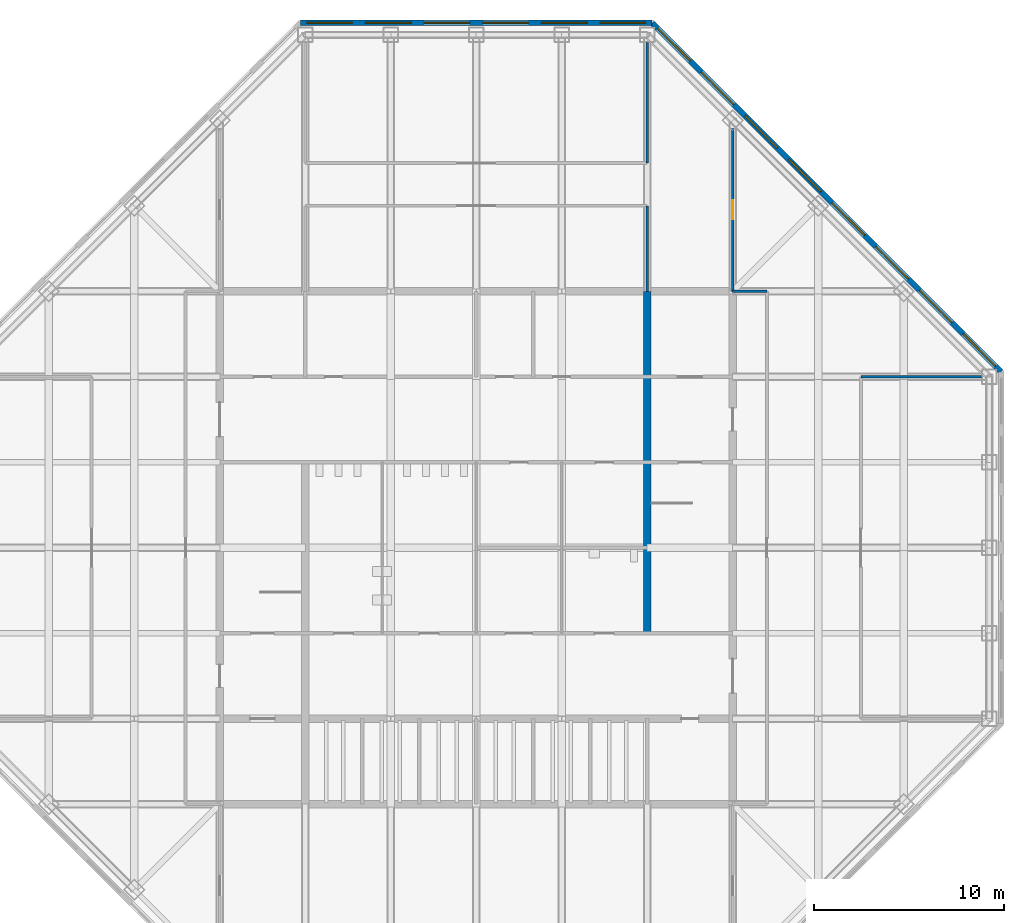
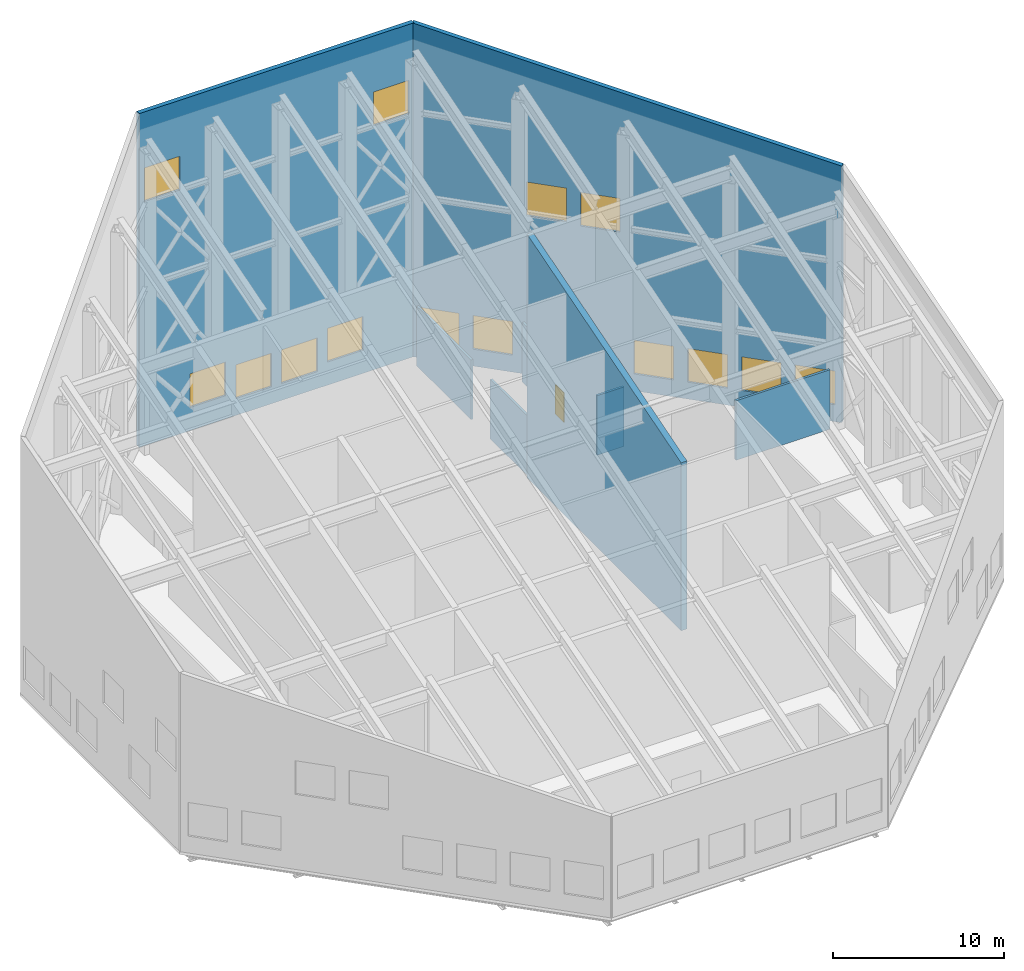
# One storey, part 8 of 10: 14 windows, 8 walls, 1 door, 15 openings.
"""IFC4 building model written with IfcOpenShell, lengths in metres."""

import ifcopenshell
import ifcopenshell.guid

model = None  # the IFC model being written
_history = None  # IfcOwnerHistory: only IFC2X3 demands one
_inside = {}  # id of a spatial element -> (the spatial element, [elements in it])
_under = {}  # id of a project, library or spatial element -> (it, [spatial elements below it])
_declared = {}  # id of a project -> (the project, [libraries it declares])
_typed = {}  # id of a type object -> (the type object, [elements of that type])
_made_of = {}  # id of a material, layer set ... -> (it, [elements and type objects made of it])


def new_model(schema):
    """Start an empty IFC model of exactly this schema.

    Asked for "IFC4X3", IfcOpenShell would pick the latest addendum, in which some entities
    have other attributes; the version numbers below select the first issue.
    IFC2X3 requires an IfcOwnerHistory on every rooted entity: one is made here for all.
    """
    global model, _history
    if schema == "IFC4X3":
        model = ifcopenshell.file(schema_version=(4, 3, 0, 0))
    else:
        model = ifcopenshell.file(schema=schema)
    _inside.clear()
    _under.clear()
    _declared.clear()
    _typed.clear()
    _made_of.clear()
    _history = None
    if model.schema == "IFC2X3":
        org = make("IfcOrganization", Name="unknown")
        user = make(
            "IfcPersonAndOrganization",
            ThePerson=make("IfcPerson", FamilyName="unknown"),
            TheOrganization=org,
        )
        app = make(
            "IfcApplication",
            ApplicationDeveloper=org,
            Version="unknown",
            ApplicationFullName="unknown",
            ApplicationIdentifier="unknown",
        )
        _history = make(
            "IfcOwnerHistory",
            OwningUser=user,
            OwningApplication=app,
            ChangeAction="ADDED",
            CreationDate=0,
        )
    return model


def make(cls, **values):
    """One entity of the class cls with the attributes given. An attribute that is None is left unset."""
    return model.create_entity(
        cls, **{name: value for name, value in values.items() if value is not None}
    )


def rooted(cls, **values):
    """An entity with a GlobalId (a new one), such as an element, a storey or a relation."""
    return make(cls, GlobalId=ifcopenshell.guid.new(), OwnerHistory=_history, **values)


def si_unit(unit_type, name, prefix=None):
    """IfcSIUnit, for example si_unit("LENGTHUNIT", "METRE", prefix="MILLI")."""
    return make("IfcSIUnit", UnitType=unit_type, Prefix=prefix, Name=name)


def assignment(units):
    """IfcUnitAssignment: the units of a project."""
    return None if units is None else make("IfcUnitAssignment", Units=units)


def point(xyz):
    """IfcCartesianPoint."""
    return None if xyz is None else make("IfcCartesianPoint", Coordinates=xyz)


def direction(xyz):
    """IfcDirection."""
    return None if xyz is None else make("IfcDirection", DirectionRatios=xyz)


def frame(location, z_axis=None, x_axis=None):
    """IfcAxis2Placement3D, a coordinate frame: its origin and axes. An axis left out is left unset."""
    return make(
        "IfcAxis2Placement3D",
        Location=point(location),
        Axis=direction(z_axis),
        RefDirection=direction(x_axis),
    )


def frame_2d(location, x_axis=None):
    """IfcAxis2Placement2D, a coordinate frame in the plane: its origin and x axis."""
    return make(
        "IfcAxis2Placement2D", Location=point(location), RefDirection=direction(x_axis)
    )


def origin():
    """The frame at (0, 0, 0) with its axes left unset."""
    return frame((0.0, 0.0, 0.0))


def place(relative_to, where):
    """IfcLocalPlacement: puts the frame where relative to a parent placement (None: the world)."""
    return make(
        "IfcLocalPlacement", PlacementRelTo=relative_to, RelativePlacement=where
    )


def context(
    kind, dimensions, precision=None, world=None, true_north=None, identifier=None
):
    """IfcGeometricRepresentationContext, for example the 3D "Model" context."""
    return make(
        "IfcGeometricRepresentationContext",
        ContextIdentifier=identifier,
        ContextType=kind,
        CoordinateSpaceDimension=dimensions,
        Precision=precision,
        WorldCoordinateSystem=world,
        TrueNorth=true_north,
    )


def subcontext(parent, identifier, kind, view, scale=None):
    """IfcGeometricRepresentationSubContext, for example "Body" below "Model"."""
    return make(
        "IfcGeometricRepresentationSubContext",
        ContextIdentifier=identifier,
        ContextType=kind,
        ParentContext=parent,
        TargetScale=scale,
        TargetView=view,
    )


def project(units=None, contexts=None):
    """IfcProject with its units and contexts."""
    return rooted(
        "IfcProject",
        Name="project",
        RepresentationContexts=contexts,
        UnitsInContext=assignment(units),
    )


def spatial(cls, under=None, at=None, **own):
    """A site, building, storey or space (cls), placed at a placement, below another one or the project."""
    s = rooted(cls, ObjectPlacement=at, **own)
    if under is not None:
        _under.setdefault(under.id(), (under, []))[1].append(s)
    return s


def polyline(points):
    """IfcPolyline through the points."""
    return make("IfcPolyline", Points=[point(p) for p in points])


def profile(cls, at=None, kind="AREA", **sizes):
    """A parametric profile (cls). Its sizes go by their IFC names, for example OverallWidth=200.0."""
    return make(cls, ProfileType=kind, Position=at, **sizes)


def rectangle(**sizes):
    """IfcRectangleProfileDef."""
    return profile("IfcRectangleProfileDef", **sizes)


def outline(outer, holes=None, kind="AREA"):
    """IfcArbitraryClosedProfileDef: a profile drawn as a closed curve; with holes, ...WithVoids."""
    if holes is None:
        return make("IfcArbitraryClosedProfileDef", ProfileType=kind, OuterCurve=outer)
    return make(
        "IfcArbitraryProfileDefWithVoids",
        ProfileType=kind,
        OuterCurve=outer,
        InnerCurves=holes,
    )


def extrude(swept, where, along, depth):
    """IfcExtrudedAreaSolid: the profile swept, set in the frame where, extruded along a direction by depth."""
    return make(
        "IfcExtrudedAreaSolid",
        SweptArea=swept,
        Position=where,
        ExtrudedDirection=direction(along),
        Depth=depth,
    )


def shape(context_of_items, identifier, shape_type, items):
    """IfcShapeRepresentation: the items that make up one representation, for example the "Body"."""
    return make(
        "IfcShapeRepresentation",
        ContextOfItems=context_of_items,
        RepresentationIdentifier=identifier,
        RepresentationType=shape_type,
        Items=items,
    )


def material(Name=None, Category=None):
    """IfcMaterial."""
    return make("IfcMaterial", Name=Name, Category=Category)


def layer(
    of_material, thickness, ventilated=None, Name=None, Category=None, Priority=None
):
    """IfcMaterialLayer: one layer of a wall or slab, of a material (None: an air gap)."""
    return make(
        "IfcMaterialLayer",
        Material=of_material,
        LayerThickness=thickness,
        IsVentilated=ventilated,
        Name=Name,
        Category=Category,
        Priority=Priority,
    )


def layer_set(layers, Name=None):
    """IfcMaterialLayerSet."""
    return make("IfcMaterialLayerSet", MaterialLayers=layers, LayerSetName=Name)


def made_of(thing, what):
    """Note that an element or type object is made of a material, layer set ...; save() writes the relation."""
    if what is not None:
        _made_of.setdefault(what.id(), (what, []))[1].append(thing)
    return thing


def type_object(cls, material=None, **own):
    """A type object (cls), such as IfcWallType, which elements share."""
    return made_of(rooted(cls, **own), material)


def element(
    cls,
    number,
    at=None,
    inside=None,
    cuts=None,
    type_object=None,
    material=None,
    context=None,
    identifier="Body",
    shape_type=None,
    held_by="IfcProductDefinitionShape",
    body=None,
    shapes=None,
    **own,
):
    """One element of the class cls, such as IfcWall. Its Tag is "e" and its number.

    at: its placement. inside: the storey or other place that contains it. cuts: it is an
    opening in that element (IfcRelVoidsElement). A single representation is given by context,
    identifier, shape_type and body (its items); several are given by shapes. held_by: the class
    of the entity that holds the representations. save() writes the other relations.
    """
    e = rooted(cls, Tag="e%d" % number, ObjectPlacement=at, **own)
    if body is not None:
        shapes = [shape(context, identifier, shape_type, body)]
    if shapes is not None:
        e.Representation = make(held_by, Representations=shapes)
    if inside is not None:
        _inside.setdefault(inside.id(), (inside, []))[1].append(e)
    if cuts is not None:
        rooted(
            "IfcRelVoidsElement", RelatingBuildingElement=cuts, RelatedOpeningElement=e
        )
    if type_object is not None:
        _typed.setdefault(type_object.id(), (type_object, []))[1].append(e)
    return made_of(e, material)


def fill(opening, filler):
    """IfcRelFillsElement: the door or window that sits in an opening."""
    return rooted(
        "IfcRelFillsElement",
        RelatingOpeningElement=opening,
        RelatedBuildingElement=filler,
    )


def aggregate(whole, parts):
    """IfcRelAggregates: a whole, such as a stair, and the parts it consists of."""
    return rooted("IfcRelAggregates", RelatingObject=whole, RelatedObjects=parts)


def save(model, path):
    """Write the relations noted so far, then the file.

    IfcRelAggregates (storeys below a building ...), IfcRelContainedInSpatialStructure (elements
    in a storey), IfcRelDefinesByType, IfcRelAssociatesMaterial and IfcRelDeclares: one each for
    every whole, place, type object, material and project.
    """
    for whole, parts in _under.values():
        aggregate(whole, parts)
    for where, things in _inside.values():
        rooted(
            "IfcRelContainedInSpatialStructure",
            RelatedElements=things,
            RelatingStructure=where,
        )
    for kind, things in _typed.values():
        rooted("IfcRelDefinesByType", RelatedObjects=things, RelatingType=kind)
    for what, things in _made_of.values():
        rooted("IfcRelAssociatesMaterial", RelatedObjects=things, RelatingMaterial=what)
    for by, libraries in _declared.values():
        rooted("IfcRelDeclares", RelatingContext=by, RelatedDefinitions=libraries)
    model.write(path)


model = new_model("IFC4")

# Units and contexts
model_context = context("Model", 3, precision=1e-05, world=origin(), true_north=direction((0.0, 1.0)))
body_context = subcontext(model_context, "Body", "Model", "MODEL_VIEW")
ifc_project = project(units=[si_unit("LENGTHUNIT", "METRE"), si_unit("AREAUNIT", "SQUARE_METRE"), si_unit("VOLUMEUNIT", "CUBIC_METRE"), si_unit("PLANEANGLEUNIT", "RADIAN"), si_unit("MASSUNIT", "GRAM", prefix="KILO")], contexts=[model_context])

# Site, building, storey
site_placement = place(None, origin())
site = spatial("IfcSite", under=ifc_project, at=site_placement, CompositionType="ELEMENT")
building_placement = place(site_placement, origin())
building = spatial("IfcBuilding", under=site, at=building_placement, Name="Corais Broadcast Tower", CompositionType="ELEMENT")
storey_placement = place(building_placement, frame((0.0, 0.0, 320.10009765625)))
storey = spatial("IfcBuildingStorey", under=building, at=storey_placement, Name="L75", CompositionType="ELEMENT", Elevation=320.10009765625)

# Walls
ifc_material_1 = material(Name="Concrete C50/60", Category="concrete")
ifc_layer_1 = layer(ifc_material_1, 0.39990234375)
ifc_layer_set_1 = layer_set([ifc_layer_1], Name="Concrete C50/60")
wall_type_1 = type_object("IfcWallType", Name="Core wall 400", PredefinedType="SHEAR", material=ifc_layer_set_1)
wall_1_placement = place(storey_placement, frame((36.0, 22.5, 0.0), z_axis=(0.0, 0.0, 1.0), x_axis=(0.0, 1.0, 0.0)))
element("IfcWall", 1, at=wall_1_placement, inside=storey, type_object=wall_type_1, Name="CR400 core wall X36B L75", PredefinedType="SHEAR", context=body_context, shape_type="SweptSolid", body=[
    extrude(outline(polyline([(0.0, 0.0), (18.0, 0.0), (18.0, 17.376953125), (0.0, 11.97705078125), (0.0, 0.0)])), frame((0.0, 0.199951171875, 0.0), z_axis=(0.0, -1.0, 0.0), x_axis=(1.0, 0.0, 0.0)), (0.0, 0.0, 1.0), 0.39990234375),
])
ifc_material_2 = material(Name="Two layers of fire-rated gypsum board each side on steel studs", Category="steel")
ifc_layer_2 = layer(ifc_material_2, 0.14990234375)
ifc_layer_set_2 = layer_set([ifc_layer_2], Name="Two layers of fire-rated gypsum board each side on steel studs")
wall_type_2 = type_object("IfcWallType", Name="Fire-rated partition 150 EI 60", PredefinedType="PARTITIONING", material=ifc_layer_set_2)
wall_2_placement = place(storey_placement, frame((36.0, 40.5, 0.0), z_axis=(0.0, 0.0, 1.0), x_axis=(0.0, 1.0, 0.0)))
element("IfcWall", 2, at=wall_2_placement, inside=storey, type_object=wall_type_2, Name="IW7 partition L75", PredefinedType="PARTITIONING", context=body_context, shape_type="SweptSolid", body=[
    extrude(rectangle(XDim=4.5, YDim=0.14990234375, at=frame_2d((2.25, 0.0))), origin(), (0.0, 0.0, 1.0), 4.245849609375),
])
for number, where, z_axis, x_axis, name in (
    (3, (53.590087890625, 36.0, 0.0), (0.0, 0.0, 1.0), (-1.0, 0.0, 0.0), "IW7 partition L75"),
    (4, (36.0, 47.25, 0.0), (0.0, 0.0, 1.0), (0.0, 1.0, 0.0), "IW7 partition L75"),
):
    element("IfcWall", number, at=place(storey_placement, frame(where, z_axis=z_axis, x_axis=x_axis)), inside=storey, type_object=wall_type_2, Name=name, PredefinedType="PARTITIONING", context=body_context, shape_type="SweptSolid", body=[
        extrude(rectangle(XDim=6.340087890625, YDim=0.14990234375, at=frame_2d((3.169921875, 0.0))), origin(), (0.0, 0.0, 1.0), 4.245849609375),
    ])
ifc_material_3 = material(Name="Gypsum board on steel studs", Category="steel")
ifc_layer_3 = layer(ifc_material_3, 0.14990234375)
ifc_layer_set_3 = layer_set([ifc_layer_3], Name="Gypsum board on steel studs")
wall_type_3 = type_object("IfcWallType", Name="Partition 150", PredefinedType="PARTITIONING", material=ifc_layer_set_3)
wall_3_placement = place(storey_placement, frame((42.300048828125, 40.5, 0.0), z_axis=(0.0, 0.0, 1.0), x_axis=(-1.0, 0.0, 0.0)))
element("IfcWall", 5, at=wall_3_placement, inside=storey, type_object=wall_type_3, Name="IW3 corridor wall L75", PredefinedType="PARTITIONING", context=body_context, shape_type="SweptSolid", body=[
    extrude(rectangle(XDim=1.81005859375, YDim=0.14990234375, at=frame_2d((0.905029296875, 0.0))), origin(), (0.0, 0.0, 1.0), 4.245849609375),
])

# Wall, opening, door
wall_4_placement = place(storey_placement, frame((40.5, 49.080078125, 0.0), z_axis=(0.0, 0.0, 1.0), x_axis=(0.0, -1.0, 0.0)))
wall_4 = element("IfcWall", 6, at=wall_4_placement, inside=storey, type_object=wall_type_3, Name="IW3 partition L75", PredefinedType="PARTITIONING", context=body_context, shape_type="SweptSolid", body=[
    extrude(rectangle(XDim=8.580078125, YDim=0.14990234375, at=frame_2d((4.2900390625, 0.0))), origin(), (0.0, 0.0, 1.0), 4.245849609375),
])
opening_1_placement = place(wall_4_placement, frame((3.7900390625, 0.0, 0.0)))
opening_1 = element("IfcOpeningElement", 7, at=opening_1_placement, cuts=wall_4, Name="Opening D1", PredefinedType="OPENING", context=body_context, shape_type="SweptSolid", body=[
    extrude(rectangle(XDim=1.0, YDim=2.10009765625, at=frame_2d((0.5, 1.050048828125))), frame((0.0, 0.0849609375, 0.0), z_axis=(0.0, -1.0, 0.0), x_axis=(1.0, 0.0, 0.0)), (0.0, 0.0, 1.0), 0.169921875),
])
ifc_material_4 = material(Name="Timber door", Category="wood")
door_type = type_object("IfcDoorType", Name="Single door 1000x2100", OperationType="SINGLE_SWING_LEFT", PredefinedType="DOOR", material=ifc_material_4)
door_placement = place(opening_1_placement, origin())
door = element("IfcDoor", 8, at=door_placement, inside=storey, type_object=door_type, Name="D1 team room door L75", OperationType="SINGLE_SWING_LEFT", OverallHeight=2.10009765625, OverallWidth=1.0, PredefinedType="DOOR", context=body_context, shape_type="SweptSolid", body=[
    extrude(rectangle(XDim=1.0, YDim=2.10009765625, at=frame_2d((0.5, 1.050048828125))), frame((0.0, 0.02490234375, 0.0), z_axis=(0.0, -1.0, 0.0), x_axis=(1.0, 0.0, 0.0)), (0.0, 0.0, 1.0), 0.050048828125),
])
fill(opening_1, door)

# Wall, openings, windows
ifc_material_5 = material(Name="Precast concrete C40/50", Category="concrete")
ifc_layer_4 = layer(ifc_material_5, 0.300048828125)
ifc_layer_set_4 = layer_set([ifc_layer_4], Name="Precast concrete C40/50")
wall_type_4 = type_object("IfcWallType", Name="Stone-faced precast wall 300", PredefinedType="SOLIDWALL", material=ifc_layer_set_4)
wall_5_placement = place(storey_placement, frame((17.739013671875, 54.6298828125, 0.0), z_axis=(0.0, 0.0, 1.0), x_axis=(1.0, 0.0, 0.0)))
wall_5 = element("IfcWall", 9, at=wall_5_placement, inside=storey, type_object=wall_type_4, Name="EW1 crown wall L75 4", PredefinedType="SOLIDWALL", context=body_context, shape_type="SweptSolid", body=[
    extrude(rectangle(XDim=18.52197265625, YDim=0.300048828125, at=frame_2d((9.260986328125, 0.0))), origin(), (0.0, 0.0, 1.0), 23.788818359375),
])
opening_2_placement = place(wall_5_placement, frame((0.343505859375, 0.0, 17.39990234375)))
opening_2 = element("IfcOpeningElement", 10, at=opening_2_placement, cuts=wall_5, Name="Opening LV2", PredefinedType="OPENING", context=body_context, shape_type="SweptSolid", body=[
    extrude(rectangle(XDim=2.39990234375, YDim=2.39990234375, at=frame_2d((1.199951171875, 1.199951171875))), frame((0.0, 0.159912109375, 0.0), z_axis=(0.0, -1.0, 0.0), x_axis=(1.0, 0.0, 0.0)), (0.0, 0.0, 1.0), 0.320068359375),
])
opening_3_placement = place(wall_5_placement, frame((3.430419921875, 0.0, 1.64990234375)))
opening_3 = element("IfcOpeningElement", 11, at=opening_3_placement, cuts=wall_5, Name="Opening LV2", PredefinedType="OPENING", context=body_context, shape_type="SweptSolid", body=[
    extrude(rectangle(XDim=2.39990234375, YDim=2.39990234375, at=frame_2d((1.199951171875, 1.199951171875))), frame((0.0, 0.159912109375, 0.0), z_axis=(0.0, -1.0, 0.0), x_axis=(1.0, 0.0, 0.0)), (0.0, 0.0, 1.0), 0.320068359375),
])
opening_4_placement = place(wall_5_placement, frame((6.517578125, 0.0, 1.199951171875)))
opening_4 = element("IfcOpeningElement", 12, at=opening_4_placement, cuts=wall_5, Name="Opening LV2", PredefinedType="OPENING", context=body_context, shape_type="SweptSolid", body=[
    extrude(rectangle(XDim=2.39990234375, YDim=2.39990234375, at=frame_2d((1.199951171875, 1.199951171875))), frame((0.0, 0.159912109375, 0.0), z_axis=(0.0, -1.0, 0.0), x_axis=(1.0, 0.0, 0.0)), (0.0, 0.0, 1.0), 0.320068359375),
])
opening_5_placement = place(wall_5_placement, frame((9.6044921875, 0.0, 1.199951171875)))
opening_5 = element("IfcOpeningElement", 13, at=opening_5_placement, cuts=wall_5, Name="Opening LV2", PredefinedType="OPENING", context=body_context, shape_type="SweptSolid", body=[
    extrude(rectangle(XDim=2.39990234375, YDim=2.39990234375, at=frame_2d((1.199951171875, 1.199951171875))), frame((0.0, 0.159912109375, 0.0), z_axis=(0.0, -1.0, 0.0), x_axis=(1.0, 0.0, 0.0)), (0.0, 0.0, 1.0), 0.320068359375),
])
opening_6_placement = place(wall_5_placement, frame((12.69140625, 0.0, 1.64990234375)))
opening_6 = element("IfcOpeningElement", 14, at=opening_6_placement, cuts=wall_5, Name="Opening LV2", PredefinedType="OPENING", context=body_context, shape_type="SweptSolid", body=[
    extrude(rectangle(XDim=2.39990234375, YDim=2.39990234375, at=frame_2d((1.199951171875, 1.199951171875))), frame((0.0, 0.159912109375, 0.0), z_axis=(0.0, -1.0, 0.0), x_axis=(1.0, 0.0, 0.0)), (0.0, 0.0, 1.0), 0.320068359375),
])
opening_7_placement = place(wall_5_placement, frame((15.778564453125, 0.0, 17.39990234375)))
opening_7 = element("IfcOpeningElement", 15, at=opening_7_placement, cuts=wall_5, Name="Opening LV2", PredefinedType="OPENING", context=body_context, shape_type="SweptSolid", body=[
    extrude(rectangle(XDim=2.39990234375, YDim=2.39990234375, at=frame_2d((1.199951171875, 1.199951171875))), frame((0.0, 0.159912109375, 0.0), z_axis=(0.0, -1.0, 0.0), x_axis=(1.0, 0.0, 0.0)), (0.0, 0.0, 1.0), 0.320068359375),
])
ifc_material_6 = material(Name="Aluminium frame", Category="aluminium")
window_type = type_object("IfcWindowType", Name="Crown louvre 2400x2400", PartitioningType="SINGLE_PANEL", PredefinedType="USERDEFINED", material=ifc_material_6)
window_1_placement = place(opening_2_placement, origin())
window_1 = element("IfcWindow", 16, at=window_1_placement, inside=storey, type_object=window_type, Name="LV2 window L75", ObjectType="LOUVRE", OverallHeight=2.39990234375, OverallWidth=2.39990234375, PartitioningType="SINGLE_PANEL", PredefinedType="USERDEFINED", context=body_context, shape_type="SweptSolid", body=[
    extrude(rectangle(XDim=2.39990234375, YDim=2.39990234375, at=frame_2d((1.199951171875, 1.199951171875))), frame((0.0, 0.030029296875, 0.0), z_axis=(0.0, -1.0, 0.0), x_axis=(1.0, 0.0, 0.0)), (0.0, 0.0, 1.0), 0.06005859375),
])
fill(opening_2, window_1)
window_2_placement = place(opening_3_placement, origin())
window_2 = element("IfcWindow", 17, at=window_2_placement, inside=storey, type_object=window_type, Name="LV2 window L75", ObjectType="LOUVRE", OverallHeight=2.39990234375, OverallWidth=2.39990234375, PartitioningType="SINGLE_PANEL", PredefinedType="USERDEFINED", context=body_context, shape_type="SweptSolid", body=[
    extrude(rectangle(XDim=2.39990234375, YDim=2.39990234375, at=frame_2d((1.199951171875, 1.199951171875))), frame((0.0, 0.030029296875, 0.0), z_axis=(0.0, -1.0, 0.0), x_axis=(1.0, 0.0, 0.0)), (0.0, 0.0, 1.0), 0.06005859375),
])
fill(opening_3, window_2)
window_3_placement = place(opening_4_placement, origin())
window_3 = element("IfcWindow", 18, at=window_3_placement, inside=storey, type_object=window_type, Name="LV2 window L75", ObjectType="LOUVRE", OverallHeight=2.39990234375, OverallWidth=2.39990234375, PartitioningType="SINGLE_PANEL", PredefinedType="USERDEFINED", context=body_context, shape_type="SweptSolid", body=[
    extrude(rectangle(XDim=2.39990234375, YDim=2.39990234375, at=frame_2d((1.199951171875, 1.199951171875))), frame((0.0, 0.030029296875, 0.0), z_axis=(0.0, -1.0, 0.0), x_axis=(1.0, 0.0, 0.0)), (0.0, 0.0, 1.0), 0.06005859375),
])
fill(opening_4, window_3)
window_4_placement = place(opening_5_placement, origin())
window_4 = element("IfcWindow", 19, at=window_4_placement, inside=storey, type_object=window_type, Name="LV2 window L75", ObjectType="LOUVRE", OverallHeight=2.39990234375, OverallWidth=2.39990234375, PartitioningType="SINGLE_PANEL", PredefinedType="USERDEFINED", context=body_context, shape_type="SweptSolid", body=[
    extrude(rectangle(XDim=2.39990234375, YDim=2.39990234375, at=frame_2d((1.199951171875, 1.199951171875))), frame((0.0, 0.030029296875, 0.0), z_axis=(0.0, -1.0, 0.0), x_axis=(1.0, 0.0, 0.0)), (0.0, 0.0, 1.0), 0.06005859375),
])
fill(opening_5, window_4)
window_5_placement = place(opening_6_placement, origin())
window_5 = element("IfcWindow", 20, at=window_5_placement, inside=storey, type_object=window_type, Name="LV2 window L75", ObjectType="LOUVRE", OverallHeight=2.39990234375, OverallWidth=2.39990234375, PartitioningType="SINGLE_PANEL", PredefinedType="USERDEFINED", context=body_context, shape_type="SweptSolid", body=[
    extrude(rectangle(XDim=2.39990234375, YDim=2.39990234375, at=frame_2d((1.199951171875, 1.199951171875))), frame((0.0, 0.030029296875, 0.0), z_axis=(0.0, -1.0, 0.0), x_axis=(1.0, 0.0, 0.0)), (0.0, 0.0, 1.0), 0.06005859375),
])
fill(opening_6, window_5)
window_6_placement = place(opening_7_placement, origin())
window_6 = element("IfcWindow", 21, at=window_6_placement, inside=storey, type_object=window_type, Name="LV2 window L75", ObjectType="LOUVRE", OverallHeight=2.39990234375, OverallWidth=2.39990234375, PartitioningType="SINGLE_PANEL", PredefinedType="USERDEFINED", context=body_context, shape_type="SweptSolid", body=[
    extrude(rectangle(XDim=2.39990234375, YDim=2.39990234375, at=frame_2d((1.199951171875, 1.199951171875))), frame((0.0, 0.030029296875, 0.0), z_axis=(0.0, -1.0, 0.0), x_axis=(1.0, 0.0, 0.0)), (0.0, 0.0, 1.0), 0.06005859375),
])
fill(opening_7, window_6)

wall_6_placement = place(storey_placement, frame((36.260986328125, 54.6298828125, 0.0), z_axis=(0.0, 0.0, 1.0), x_axis=(0.707106781187, -0.707106781187, 0.0)))
wall_6 = element("IfcWall", 22, at=wall_6_placement, inside=storey, type_object=wall_type_4, Name="EW1 crown wall L75 5", PredefinedType="SOLIDWALL", context=body_context, shape_type="SweptSolid", body=[
    extrude(outline(polyline([(0.0, 0.0), (25.9775390625, 0.0), (25.977783203125, 18.2783203125), (0.0, 23.788818359375), (0.0, 0.0)])), frame((0.0, 0.14990234375, 0.0), z_axis=(0.0, -1.0, 0.0), x_axis=(1.0, 0.0, 0.0)), (0.0, 0.0, 1.0), 0.300048828125),
])
opening_8_placement = place(wall_6_placement, frame((0.423583984375, 0.0, 1.199951171875)))
opening_8 = element("IfcOpeningElement", 23, at=opening_8_placement, cuts=wall_6, Name="Opening LV2", PredefinedType="OPENING", context=body_context, shape_type="SweptSolid", body=[
    extrude(rectangle(XDim=2.39990234375, YDim=2.39990234375, at=frame_2d((1.199951171875, 1.199951171875))), frame((0.0, 0.159912109375, 0.0), z_axis=(0.0, -1.0, 0.0), x_axis=(1.0, 0.0, 0.0)), (0.0, 0.0, 1.0), 0.320068359375),
])
opening_9_placement = place(wall_6_placement, frame((3.6708984375, 0.0, 1.199951171875)))
opening_9 = element("IfcOpeningElement", 24, at=opening_9_placement, cuts=wall_6, Name="Opening LV2", PredefinedType="OPENING", context=body_context, shape_type="SweptSolid", body=[
    extrude(rectangle(XDim=2.39990234375, YDim=2.39990234375, at=frame_2d((1.199951171875, 1.199951171875))), frame((0.0, 0.159912109375, 0.0), z_axis=(0.0, -1.0, 0.0), x_axis=(1.0, 0.0, 0.0)), (0.0, 0.0, 1.0), 0.320068359375),
])
opening_10_placement = place(wall_6_placement, frame((6.91796875, 0.0, 11.300048828125)))
opening_10 = element("IfcOpeningElement", 25, at=opening_10_placement, cuts=wall_6, Name="Opening LV2", PredefinedType="OPENING", context=body_context, shape_type="SweptSolid", body=[
    extrude(rectangle(XDim=2.39990234375, YDim=2.39990234375, at=frame_2d((1.199951171875, 1.199951171875))), frame((0.0, 0.159912109375, 0.0), z_axis=(0.0, -1.0, 0.0), x_axis=(1.0, 0.0, 0.0)), (0.0, 0.0, 1.0), 0.320068359375),
])
opening_11_placement = place(wall_6_placement, frame((10.165283203125, 0.0, 11.14990234375)))
opening_11 = element("IfcOpeningElement", 26, at=opening_11_placement, cuts=wall_6, Name="Opening LV2", PredefinedType="OPENING", context=body_context, shape_type="SweptSolid", body=[
    extrude(rectangle(XDim=2.39990234375, YDim=2.39990234375, at=frame_2d((1.199951171875, 1.199951171875))), frame((0.0, 0.159912109375, 0.0), z_axis=(0.0, -1.0, 0.0), x_axis=(1.0, 0.0, 0.0)), (0.0, 0.0, 1.0), 0.320068359375),
])
opening_12_placement = place(wall_6_placement, frame((13.412353515625, 0.0, 1.199951171875)))
opening_12 = element("IfcOpeningElement", 27, at=opening_12_placement, cuts=wall_6, Name="Opening LV2", PredefinedType="OPENING", context=body_context, shape_type="SweptSolid", body=[
    extrude(rectangle(XDim=2.39990234375, YDim=2.39990234375, at=frame_2d((1.199951171875, 1.199951171875))), frame((0.0, 0.159912109375, 0.0), z_axis=(0.0, -1.0, 0.0), x_axis=(1.0, 0.0, 0.0)), (0.0, 0.0, 1.0), 0.320068359375),
])
opening_13_placement = place(wall_6_placement, frame((16.65966796875, 0.0, 1.199951171875)))
opening_13 = element("IfcOpeningElement", 28, at=opening_13_placement, cuts=wall_6, Name="Opening LV2", PredefinedType="OPENING", context=body_context, shape_type="SweptSolid", body=[
    extrude(rectangle(XDim=2.39990234375, YDim=2.39990234375, at=frame_2d((1.199951171875, 1.199951171875))), frame((0.0, 0.159912109375, 0.0), z_axis=(0.0, -1.0, 0.0), x_axis=(1.0, 0.0, 0.0)), (0.0, 0.0, 1.0), 0.320068359375),
])
opening_14_placement = place(wall_6_placement, frame((19.906982421875, 0.0, 1.199951171875)))
opening_14 = element("IfcOpeningElement", 29, at=opening_14_placement, cuts=wall_6, Name="Opening LV2", PredefinedType="OPENING", context=body_context, shape_type="SweptSolid", body=[
    extrude(rectangle(XDim=2.39990234375, YDim=2.39990234375, at=frame_2d((1.199951171875, 1.199951171875))), frame((0.0, 0.159912109375, 0.0), z_axis=(0.0, -1.0, 0.0), x_axis=(1.0, 0.0, 0.0)), (0.0, 0.0, 1.0), 0.320068359375),
])
opening_15_placement = place(wall_6_placement, frame((23.154052734375, 0.0, 1.199951171875)))
opening_15 = element("IfcOpeningElement", 30, at=opening_15_placement, cuts=wall_6, Name="Opening LV2", PredefinedType="OPENING", context=body_context, shape_type="SweptSolid", body=[
    extrude(rectangle(XDim=2.39990234375, YDim=2.39990234375, at=frame_2d((1.199951171875, 1.199951171875))), frame((0.0, 0.159912109375, 0.0), z_axis=(0.0, -1.0, 0.0), x_axis=(1.0, 0.0, 0.0)), (0.0, 0.0, 1.0), 0.320068359375),
])
window_7_placement = place(opening_8_placement, origin())
window_7 = element("IfcWindow", 31, at=window_7_placement, inside=storey, type_object=window_type, Name="LV2 window L75", ObjectType="LOUVRE", OverallHeight=2.39990234375, OverallWidth=2.39990234375, PartitioningType="SINGLE_PANEL", PredefinedType="USERDEFINED", context=body_context, shape_type="SweptSolid", body=[
    extrude(rectangle(XDim=2.39990234375, YDim=2.39990234375, at=frame_2d((1.199951171875, 1.199951171875))), frame((0.0, 0.030029296875, 0.0), z_axis=(0.0, -1.0, 0.0), x_axis=(1.0, 0.0, 0.0)), (0.0, 0.0, 1.0), 0.06005859375),
])
fill(opening_8, window_7)
window_8_placement = place(opening_9_placement, origin())
window_8 = element("IfcWindow", 32, at=window_8_placement, inside=storey, type_object=window_type, Name="LV2 window L75", ObjectType="LOUVRE", OverallHeight=2.39990234375, OverallWidth=2.39990234375, PartitioningType="SINGLE_PANEL", PredefinedType="USERDEFINED", context=body_context, shape_type="SweptSolid", body=[
    extrude(rectangle(XDim=2.39990234375, YDim=2.39990234375, at=frame_2d((1.199951171875, 1.199951171875))), frame((0.0, 0.030029296875, 0.0), z_axis=(0.0, -1.0, 0.0), x_axis=(1.0, 0.0, 0.0)), (0.0, 0.0, 1.0), 0.06005859375),
])
fill(opening_9, window_8)
window_9_placement = place(opening_10_placement, origin())
window_9 = element("IfcWindow", 33, at=window_9_placement, inside=storey, type_object=window_type, Name="LV2 window L75", ObjectType="LOUVRE", OverallHeight=2.39990234375, OverallWidth=2.39990234375, PartitioningType="SINGLE_PANEL", PredefinedType="USERDEFINED", context=body_context, shape_type="SweptSolid", body=[
    extrude(rectangle(XDim=2.39990234375, YDim=2.39990234375, at=frame_2d((1.199951171875, 1.199951171875))), frame((0.0, 0.030029296875, 0.0), z_axis=(0.0, -1.0, 0.0), x_axis=(1.0, 0.0, 0.0)), (0.0, 0.0, 1.0), 0.06005859375),
])
fill(opening_10, window_9)
window_10_placement = place(opening_11_placement, origin())
window_10 = element("IfcWindow", 34, at=window_10_placement, inside=storey, type_object=window_type, Name="LV2 window L75", ObjectType="LOUVRE", OverallHeight=2.39990234375, OverallWidth=2.39990234375, PartitioningType="SINGLE_PANEL", PredefinedType="USERDEFINED", context=body_context, shape_type="SweptSolid", body=[
    extrude(rectangle(XDim=2.39990234375, YDim=2.39990234375, at=frame_2d((1.199951171875, 1.199951171875))), frame((0.0, 0.030029296875, 0.0), z_axis=(0.0, -1.0, 0.0), x_axis=(1.0, 0.0, 0.0)), (0.0, 0.0, 1.0), 0.06005859375),
])
fill(opening_11, window_10)
window_11_placement = place(opening_12_placement, origin())
window_11 = element("IfcWindow", 35, at=window_11_placement, inside=storey, type_object=window_type, Name="LV2 window L75", ObjectType="LOUVRE", OverallHeight=2.39990234375, OverallWidth=2.39990234375, PartitioningType="SINGLE_PANEL", PredefinedType="USERDEFINED", context=body_context, shape_type="SweptSolid", body=[
    extrude(rectangle(XDim=2.39990234375, YDim=2.39990234375, at=frame_2d((1.199951171875, 1.199951171875))), frame((0.0, 0.030029296875, 0.0), z_axis=(0.0, -1.0, 0.0), x_axis=(1.0, 0.0, 0.0)), (0.0, 0.0, 1.0), 0.06005859375),
])
fill(opening_12, window_11)
window_12_placement = place(opening_13_placement, origin())
window_12 = element("IfcWindow", 36, at=window_12_placement, inside=storey, type_object=window_type, Name="LV2 window L75", ObjectType="LOUVRE", OverallHeight=2.39990234375, OverallWidth=2.39990234375, PartitioningType="SINGLE_PANEL", PredefinedType="USERDEFINED", context=body_context, shape_type="SweptSolid", body=[
    extrude(rectangle(XDim=2.39990234375, YDim=2.39990234375, at=frame_2d((1.199951171875, 1.199951171875))), frame((0.0, 0.030029296875, 0.0), z_axis=(0.0, -1.0, 0.0), x_axis=(1.0, 0.0, 0.0)), (0.0, 0.0, 1.0), 0.06005859375),
])
fill(opening_13, window_12)
window_13_placement = place(opening_14_placement, origin())
window_13 = element("IfcWindow", 37, at=window_13_placement, inside=storey, type_object=window_type, Name="LV2 window L75", ObjectType="LOUVRE", OverallHeight=2.39990234375, OverallWidth=2.39990234375, PartitioningType="SINGLE_PANEL", PredefinedType="USERDEFINED", context=body_context, shape_type="SweptSolid", body=[
    extrude(rectangle(XDim=2.39990234375, YDim=2.39990234375, at=frame_2d((1.199951171875, 1.199951171875))), frame((0.0, 0.030029296875, 0.0), z_axis=(0.0, -1.0, 0.0), x_axis=(1.0, 0.0, 0.0)), (0.0, 0.0, 1.0), 0.06005859375),
])
fill(opening_14, window_13)
window_14_placement = place(opening_15_placement, origin())
window_14 = element("IfcWindow", 38, at=window_14_placement, inside=storey, type_object=window_type, Name="LV2 window L75", ObjectType="LOUVRE", OverallHeight=2.39990234375, OverallWidth=2.39990234375, PartitioningType="SINGLE_PANEL", PredefinedType="USERDEFINED", context=body_context, shape_type="SweptSolid", body=[
    extrude(rectangle(XDim=2.39990234375, YDim=2.39990234375, at=frame_2d((1.199951171875, 1.199951171875))), frame((0.0, 0.030029296875, 0.0), z_axis=(0.0, -1.0, 0.0), x_axis=(1.0, 0.0, 0.0)), (0.0, 0.0, 1.0), 0.06005859375),
])
fill(opening_15, window_14)

save(model, "model.ifc")
